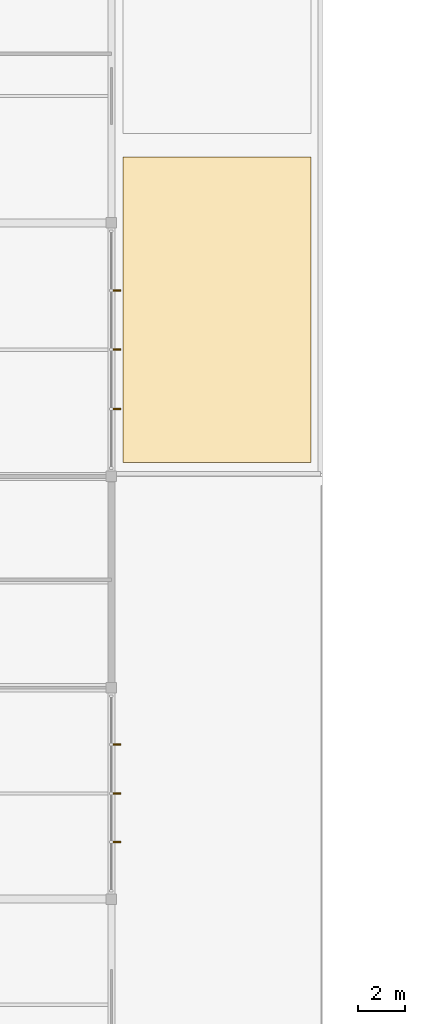
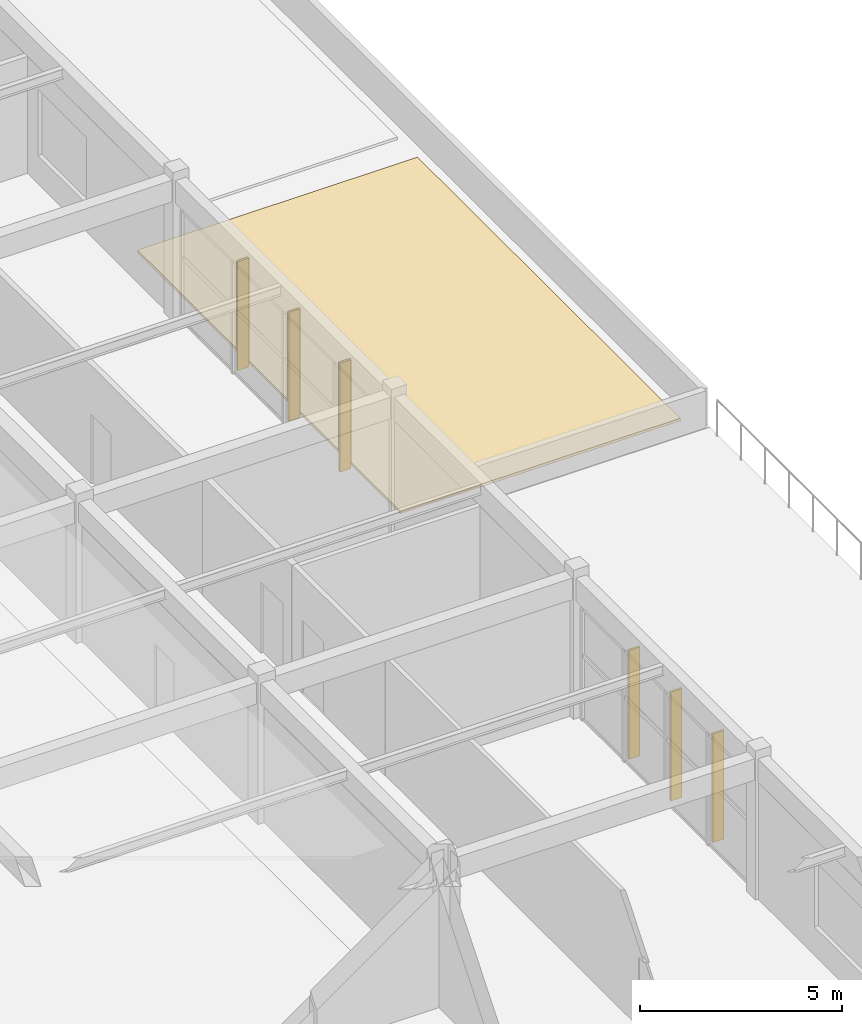
# One storey, part 80 of 89: 6 shading devices, 1 covering.
"""IFC4 building model written with IfcOpenShell, lengths in metres."""

from ifc_helpers import new_model, si_unit, direction, frame, origin, origin_2d, place, context, subcontext, project, spatial, polyline, rectangle, outline, extrude, material, layer, layer_set, type_object, element, save


model = new_model("IFC4")

# Units and contexts
model_context = context("Model", 3, precision=1e-05, world=origin(), true_north=direction((0.0, 1.0)))
body_context = subcontext(model_context, "Body", "Model", "MODEL_VIEW")
ifc_project = project(units=[si_unit("LENGTHUNIT", "METRE"), si_unit("AREAUNIT", "SQUARE_METRE"), si_unit("VOLUMEUNIT", "CUBIC_METRE"), si_unit("PLANEANGLEUNIT", "RADIAN"), si_unit("MASSUNIT", "GRAM", prefix="KILO")], contexts=[model_context])

# Site, building, storey
site_placement = place(None, origin())
site = spatial("IfcSite", under=ifc_project, at=site_placement, CompositionType="ELEMENT")
building_placement = place(site_placement, origin())
building = spatial("IfcBuilding", under=site, at=building_placement, Name="Suirenkawa Promenade Aquatics Centre", CompositionType="ELEMENT")
storey_placement = place(building_placement, frame((0.0, 0.0, 9.60009765625)))
storey = spatial("IfcBuildingStorey", under=building, at=storey_placement, Name="L02", CompositionType="ELEMENT", Elevation=9.60009765625)

# Covering
ifc_material_1 = material(Name="Encapsulated mineral-wool cool-roof build-up")
ifc_layer = layer(ifc_material_1, 0.080078125, Name="Encapsulated mineral-wool cool-roof build-up")
ifc_layer_set = layer_set([ifc_layer], Name="Encapsulated mineral-wool cool-roof build-up")
covering_type = type_object("IfcCoveringType", Name="CVT-ROOF-COOL", PredefinedType="ROOFING", material=ifc_layer_set)
covering_placement = place(storey_placement, origin())
element("IfcCovering", 1, at=covering_placement, inside=storey, type_object=covering_type, Name="Cool roof membrane RF-02 CVR-011", PredefinedType="ROOFING", context=body_context, shape_type="SweptSolid", body=[
    extrude(outline(polyline([(36.5, 87.0), (44.5, 87.0), (44.5, 100.0), (36.5, 100.0), (36.5, 87.0)])), origin(), (0.0, 0.0, 1.0), 0.079833984375),
])

# Shading devices
ifc_material_2 = material(Name="Anodised aluminium 6063-T6", Category="aluminium")
shading_device_type = type_object("IfcShadingDeviceType", Name="SDT-KOUSHI-320", PredefinedType="USERDEFINED", material=ifc_material_2)
for number, where, z_axis, x_axis, name in (
    (2, (36.23193359375, 74.9755859375, 0.039794921875), (0.0, 0.0, 1.0), (1.0, 0.0, 0.0), "Vertical solar shading fin FN-02 FIN-0175"),
    (3, (36.23193359375, 72.89990234375, 0.039794921875), (0.0, 0.0, 1.0), (1.0, 0.0, 0.0), "Vertical solar shading fin FN-02 FIN-0176"),
    (4, (36.23193359375, 70.824462890625, 0.039794921875), (0.0, 0.0, 1.0), (1.0, 0.0, 0.0), "Vertical solar shading fin FN-02 FIN-0177"),
    (5, (36.23193359375, 94.325439453125, 0.039794921875), (0.0, 0.0, 1.0), (1.0, 0.0, 0.0), "Vertical solar shading fin FN-02 FIN-0184"),
    (6, (36.23193359375, 91.800048828125, 0.039794921875), (0.0, 0.0, 1.0), (1.0, 0.0, 0.0), "Vertical solar shading fin FN-02 FIN-0185"),
    (7, (36.23193359375, 89.2744140625, 0.039794921875), (0.0, 0.0, 1.0), (1.0, 0.0, 0.0), "Vertical solar shading fin FN-02 FIN-0186"),
):
    element("IfcShadingDevice", number, at=place(storey_placement, frame(where, z_axis=z_axis, x_axis=x_axis)), inside=storey, type_object=shading_device_type, Name=name, ObjectType="FIN", PredefinedType="USERDEFINED", context=body_context, shape_type="SweptSolid", body=[
        extrude(rectangle(XDim=0.320068359375, YDim=0.06005859375, at=origin_2d()), origin(), (0.0, 0.0, 1.0), 3.2900390625),
    ])

save(model, "model.ifc")
